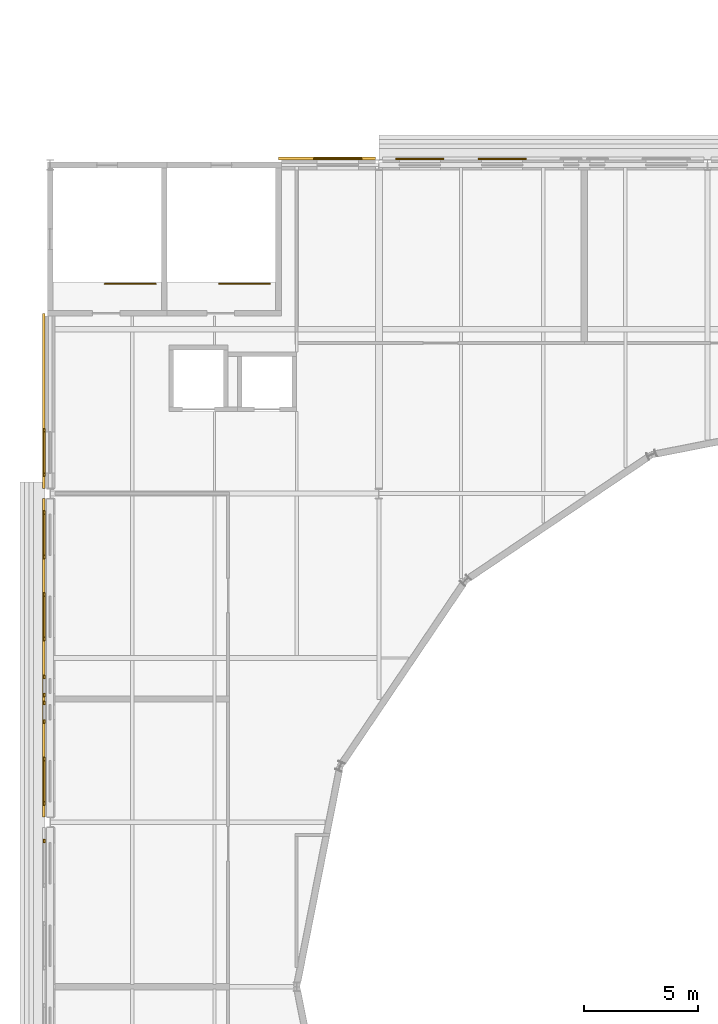
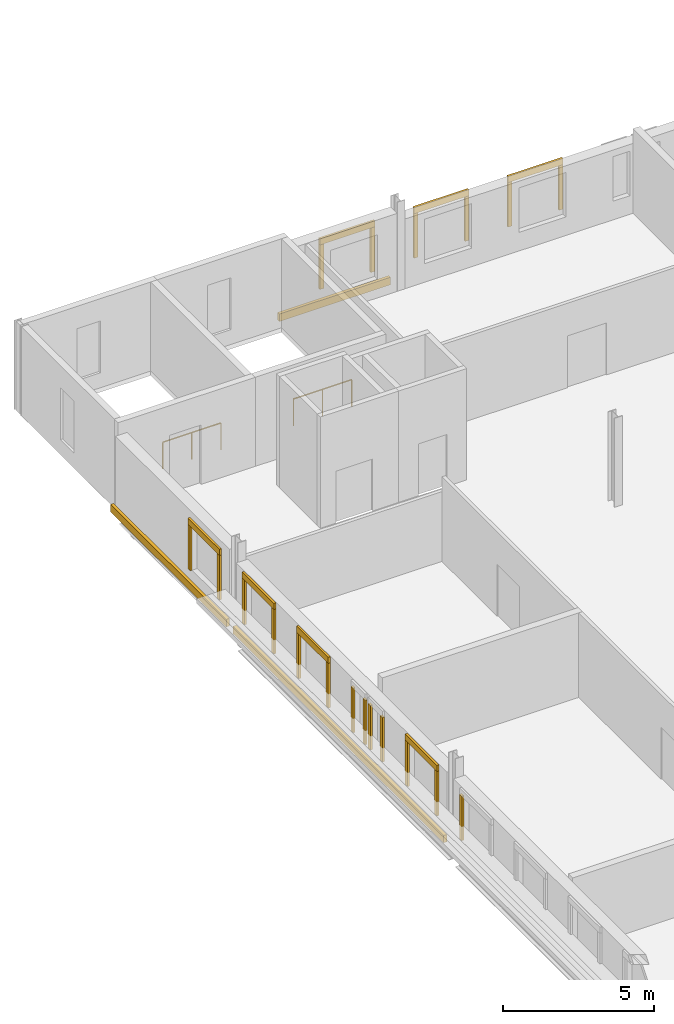
# One storey, part 124 of 142: 29 coverings, 2 railings.
"""IFC4 building model written with IfcOpenShell, lengths in metres."""

from ifc_helpers import new_model, si_unit, direction, frame, origin, origin_2d, place, context, subcontext, project, spatial, rectangle, circle, extrude, material, layer, layer_set, type_object, element, save


model = new_model("IFC4")

# Units and contexts
model_context = context("Model", 3, precision=1e-05, world=origin(), true_north=direction((0.0, 1.0)))
body_context = subcontext(model_context, "Body", "Model", "MODEL_VIEW")
ifc_project = project(units=[si_unit("LENGTHUNIT", "METRE"), si_unit("AREAUNIT", "SQUARE_METRE"), si_unit("VOLUMEUNIT", "CUBIC_METRE"), si_unit("PLANEANGLEUNIT", "RADIAN"), si_unit("MASSUNIT", "GRAM", prefix="KILO")], contexts=[model_context])

# Site, building, storey
site_placement = place(None, origin())
site = spatial("IfcSite", under=ifc_project, at=site_placement, CompositionType="ELEMENT")
building_placement = place(site_placement, origin())
building = spatial("IfcBuilding", under=site, at=building_placement, Name="Kupolbacken Congress Centre", CompositionType="ELEMENT")
storey_placement = place(building_placement, frame((0.0, 0.0, 14.39990234375)))
storey = spatial("IfcBuildingStorey", under=building, at=storey_placement, Name="L04", CompositionType="ELEMENT", Elevation=14.39990234375)

# Coverings
ifc_material_1 = material(Name="Limestone cladding", Category="masonry")
ifc_layer = layer(ifc_material_1, 0.1201171875)
ifc_layer_set = layer_set([ifc_layer], Name="Limestone cladding")
covering_type = type_object("IfcCoveringType", Name="CV1 limestone cladding band 120", PredefinedType="CLADDING", material=ifc_layer_set)
for number, where, z_axis, x_axis, name in (
    (1, (24.375, 122.659912109375, 0.75), (0.0, 0.0, 1.0), (-1.0, 0.0, 0.0), "E/P/N/L04/445/W1/jl"),
    (2, (22.425048828125, 122.659912109375, 0.75), (0.0, 0.0, 1.0), (-1.0, 0.0, 0.0), "E/P/N/L04/445/W1/jr"),
):
    element("IfcCovering", number, at=place(storey_placement, frame(where, z_axis=z_axis, x_axis=x_axis)), inside=storey, type_object=covering_type, Name=name, PredefinedType="CLADDING", context=body_context, shape_type="SweptSolid", body=[
        extrude(rectangle(XDim=0.14990234375, YDim=0.080078125, at=origin_2d()), origin(), (0.0, 0.0, 1.0), 1.800048828125),
    ])
covering_1_placement = place(storey_placement, frame((23.39990234375, 122.659912109375, 2.550048828125), z_axis=(0.0, 0.0, 1.0), x_axis=(-1.0, 0.0, 0.0)))
element("IfcCovering", 3, at=covering_1_placement, inside=storey, type_object=covering_type, Name="E/P/N/L04/445/W1/hd", PredefinedType="CLADDING", context=body_context, shape_type="SweptSolid", body=[
    extrude(rectangle(XDim=2.10009765625, YDim=0.080078125, at=origin_2d()), origin(), (0.0, 0.0, 1.0), 0.25),
])
for number, where, z_axis, x_axis, name in (
    (4, (27.97509765625, 122.659912109375, 0.75), (0.0, 0.0, 1.0), (-1.0, 0.0, 0.0), "E/P/N/L04/445/W2/jl"),
    (5, (26.02490234375, 122.659912109375, 0.75), (0.0, 0.0, 1.0), (-1.0, 0.0, 0.0), "E/P/N/L04/445/W2/jr"),
):
    element("IfcCovering", number, at=place(storey_placement, frame(where, z_axis=z_axis, x_axis=x_axis)), inside=storey, type_object=covering_type, Name=name, PredefinedType="CLADDING", context=body_context, shape_type="SweptSolid", body=[
        extrude(rectangle(XDim=0.14990234375, YDim=0.080078125, at=origin_2d()), origin(), (0.0, 0.0, 1.0), 1.800048828125),
    ])
covering_2_placement = place(storey_placement, frame((27.0, 122.659912109375, 2.550048828125), z_axis=(0.0, 0.0, 1.0), x_axis=(-1.0, 0.0, 0.0)))
element("IfcCovering", 6, at=covering_2_placement, inside=storey, type_object=covering_type, Name="E/P/N/L04/445/W2/hd", PredefinedType="CLADDING", context=body_context, shape_type="SweptSolid", body=[
    extrude(rectangle(XDim=2.10009765625, YDim=0.080078125, at=origin_2d()), origin(), (0.0, 0.0, 1.0), 0.25),
])
covering_3_placement = place(storey_placement, frame((19.324951171875, 122.679931640625, 0.0), z_axis=(0.0, 0.0, 1.0), x_axis=(-1.0, 0.0, 0.0)))
element("IfcCovering", 7, at=covering_3_placement, inside=storey, type_object=covering_type, Name="E/P/N/L04/446/band", PredefinedType="CLADDING", context=body_context, shape_type="SweptSolid", body=[
    extrude(rectangle(XDim=4.25, YDim=0.1201171875, at=origin_2d()), origin(), (0.0, 0.0, 1.0), 0.300048828125),
])
for number, where, z_axis, x_axis, name in (
    (8, (20.77490234375, 122.659912109375, 0.75), (0.0, 0.0, 1.0), (-1.0, 0.0, 0.0), "E/P/N/L04/446/W1/jl"),
    (9, (18.824951171875, 122.659912109375, 0.75), (0.0, 0.0, 1.0), (-1.0, 0.0, 0.0), "E/P/N/L04/446/W1/jr"),
):
    element("IfcCovering", number, at=place(storey_placement, frame(where, z_axis=z_axis, x_axis=x_axis)), inside=storey, type_object=covering_type, Name=name, PredefinedType="CLADDING", context=body_context, shape_type="SweptSolid", body=[
        extrude(rectangle(XDim=0.14990234375, YDim=0.080078125, at=origin_2d()), origin(), (0.0, 0.0, 1.0), 1.800048828125),
    ])
covering_4_placement = place(storey_placement, frame((19.800048828125, 122.659912109375, 2.550048828125), z_axis=(0.0, 0.0, 1.0), x_axis=(-1.0, 0.0, 0.0)))
element("IfcCovering", 10, at=covering_4_placement, inside=storey, type_object=covering_type, Name="E/P/N/L04/446/W1/hd", PredefinedType="CLADDING", context=body_context, shape_type="SweptSolid", body=[
    extrude(rectangle(XDim=2.10009765625, YDim=0.080078125, at=origin_2d()), origin(), (0.0, 0.0, 1.0), 0.25),
])
covering_5_placement = place(storey_placement, frame((6.919921875, 112.0625, 0.0), z_axis=(0.0, 0.0, 1.0), x_axis=(0.0, -1.0, 0.0)))
element("IfcCovering", 11, at=covering_5_placement, inside=storey, type_object=covering_type, Name="E/P/W/L04/450/band", PredefinedType="CLADDING", context=body_context, shape_type="SweptSolid", body=[
    extrude(rectangle(XDim=7.675048828125, YDim=0.1201171875, at=origin_2d()), origin(), (0.0, 0.0, 1.0), 0.300048828125),
])
for number, where, z_axis, x_axis, name in (
    (12, (6.93994140625, 110.77490234375, 0.75), (0.0, 0.0, 1.0), (0.0, -1.0, 0.0), "E/P/W/L04/450/W1/jl"),
    (13, (6.93994140625, 108.824951171875, 0.75), (0.0, 0.0, 1.0), (0.0, -1.0, 0.0), "E/P/W/L04/450/W1/jr"),
):
    element("IfcCovering", number, at=place(storey_placement, frame(where, z_axis=z_axis, x_axis=x_axis)), inside=storey, type_object=covering_type, Name=name, PredefinedType="CLADDING", context=body_context, shape_type="SweptSolid", body=[
        extrude(rectangle(XDim=0.14990234375, YDim=0.080078125, at=origin_2d()), origin(), (0.0, 0.0, 1.0), 1.800048828125),
    ])
covering_6_placement = place(storey_placement, frame((6.93994140625, 109.800048828125, 2.550048828125), z_axis=(0.0, 0.0, 1.0), x_axis=(0.0, -1.0, 0.0)))
element("IfcCovering", 14, at=covering_6_placement, inside=storey, type_object=covering_type, Name="E/P/W/L04/450/W1/hd", PredefinedType="CLADDING", context=body_context, shape_type="SweptSolid", body=[
    extrude(rectangle(XDim=2.10009765625, YDim=0.080078125, at=origin_2d()), origin(), (0.0, 0.0, 1.0), 0.25),
])
covering_7_placement = place(storey_placement, frame((6.919921875, 100.800048828125, 0.0), z_axis=(0.0, 0.0, 1.0), x_axis=(0.0, -1.0, 0.0)))
element("IfcCovering", 15, at=covering_7_placement, inside=storey, type_object=covering_type, Name="E/P/W/L04/451/band", PredefinedType="CLADDING", context=body_context, shape_type="SweptSolid", body=[
    extrude(rectangle(XDim=13.949951171875, YDim=0.1201171875, at=origin_2d()), origin(), (0.0, 0.0, 1.0), 0.300048828125),
])
for number, where, z_axis, x_axis, name in (
    (16, (6.93994140625, 96.375, 0.75), (0.0, 0.0, 1.0), (0.0, -1.0, 0.0), "E/P/W/L04/451/W1/jl"),
    (17, (6.93994140625, 94.425048828125, 0.75), (0.0, 0.0, 1.0), (0.0, -1.0, 0.0), "E/P/W/L04/451/W1/jr"),
):
    element("IfcCovering", number, at=place(storey_placement, frame(where, z_axis=z_axis, x_axis=x_axis)), inside=storey, type_object=covering_type, Name=name, PredefinedType="CLADDING", context=body_context, shape_type="SweptSolid", body=[
        extrude(rectangle(XDim=0.14990234375, YDim=0.080078125, at=origin_2d()), origin(), (0.0, 0.0, 1.0), 1.800048828125),
    ])
covering_8_placement = place(storey_placement, frame((6.93994140625, 95.39990234375, 2.550048828125), z_axis=(0.0, 0.0, 1.0), x_axis=(0.0, -1.0, 0.0)))
element("IfcCovering", 18, at=covering_8_placement, inside=storey, type_object=covering_type, Name="E/P/W/L04/451/W1/hd", PredefinedType="CLADDING", context=body_context, shape_type="SweptSolid", body=[
    extrude(rectangle(XDim=2.10009765625, YDim=0.080078125, at=origin_2d()), origin(), (0.0, 0.0, 1.0), 0.25),
])
for number, where, z_axis, x_axis, name in (
    (19, (6.93994140625, 99.97509765625, 0.75), (0.0, 0.0, 1.0), (0.0, -1.0, 0.0), "E/P/W/L04/451/W2/jl"),
    (20, (6.93994140625, 99.175048828125, 0.75), (0.0, 0.0, 1.0), (0.0, -1.0, 0.0), "E/P/W/L04/451/W2/jr"),
    (21, (6.93994140625, 98.824951171875, 0.75), (0.0, 0.0, 1.0), (0.0, -1.0, 0.0), "E/P/W/L04/451/W3/jl"),
    (22, (6.93994140625, 98.02490234375, 0.75), (0.0, 0.0, 1.0), (0.0, -1.0, 0.0), "E/P/W/L04/451/W3/jr"),
    (23, (6.93994140625, 103.574951171875, 0.75), (0.0, 0.0, 1.0), (0.0, -1.0, 0.0), "E/P/W/L04/451/W4/jl"),
    (24, (6.93994140625, 101.625, 0.75), (0.0, 0.0, 1.0), (0.0, -1.0, 0.0), "E/P/W/L04/451/W4/jr"),
):
    element("IfcCovering", number, at=place(storey_placement, frame(where, z_axis=z_axis, x_axis=x_axis)), inside=storey, type_object=covering_type, Name=name, PredefinedType="CLADDING", context=body_context, shape_type="SweptSolid", body=[
        extrude(rectangle(XDim=0.14990234375, YDim=0.080078125, at=origin_2d()), origin(), (0.0, 0.0, 1.0), 1.800048828125),
    ])
covering_9_placement = place(storey_placement, frame((6.93994140625, 102.60009765625, 2.550048828125), z_axis=(0.0, 0.0, 1.0), x_axis=(0.0, -1.0, 0.0)))
element("IfcCovering", 25, at=covering_9_placement, inside=storey, type_object=covering_type, Name="E/P/W/L04/451/W4/hd", PredefinedType="CLADDING", context=body_context, shape_type="SweptSolid", body=[
    extrude(rectangle(XDim=2.10009765625, YDim=0.080078125, at=origin_2d()), origin(), (0.0, 0.0, 1.0), 0.25),
])
for number, where, z_axis, x_axis, name in (
    (26, (6.93994140625, 107.175048828125, 0.75), (0.0, 0.0, 1.0), (0.0, -1.0, 0.0), "E/P/W/L04/451/W5/jl"),
    (27, (6.93994140625, 105.22509765625, 0.75), (0.0, 0.0, 1.0), (0.0, -1.0, 0.0), "E/P/W/L04/451/W5/jr"),
):
    element("IfcCovering", number, at=place(storey_placement, frame(where, z_axis=z_axis, x_axis=x_axis)), inside=storey, type_object=covering_type, Name=name, PredefinedType="CLADDING", context=body_context, shape_type="SweptSolid", body=[
        extrude(rectangle(XDim=0.14990234375, YDim=0.080078125, at=origin_2d()), origin(), (0.0, 0.0, 1.0), 1.800048828125),
    ])
covering_10_placement = place(storey_placement, frame((6.93994140625, 106.199951171875, 2.550048828125), z_axis=(0.0, 0.0, 1.0), x_axis=(0.0, -1.0, 0.0)))
element("IfcCovering", 28, at=covering_10_placement, inside=storey, type_object=covering_type, Name="E/P/W/L04/451/W5/hd", PredefinedType="CLADDING", context=body_context, shape_type="SweptSolid", body=[
    extrude(rectangle(XDim=2.10009765625, YDim=0.080078125, at=origin_2d()), origin(), (0.0, 0.0, 1.0), 0.25),
])
covering_11_placement = place(storey_placement, frame((6.93994140625, 92.77490234375, 0.75), z_axis=(0.0, 0.0, 1.0), x_axis=(0.0, -1.0, 0.0)))
element("IfcCovering", 29, at=covering_11_placement, inside=storey, type_object=covering_type, Name="E/P/W/L04/452/W4/jl", PredefinedType="CLADDING", context=body_context, shape_type="SweptSolid", body=[
    extrude(rectangle(XDim=0.14990234375, YDim=0.080078125, at=origin_2d()), origin(), (0.0, 0.0, 1.0), 1.800048828125),
])

# Railings
ifc_material_2 = material(Name="Steel S235", Category="steel")
railing_type = type_object("IfcRailingType", Name="RL1 guard 1100 steel balustrade", PredefinedType="GUARDRAIL", material=ifc_material_2)
for number, where, name in (
    (30, (11.824951171875, 117.18505859375, 0.0), "C/guard/PS1NW/L04"),
    (31, (16.824951171875, 117.18505859375, 0.0), "C/guard/PS2NW/L04"),
):
    element("IfcRailing", number, at=place(storey_placement, frame(where)), inside=storey, type_object=railing_type, Name=name, PredefinedType="GUARDRAIL", context=body_context, shape_type="SweptSolid", body=[
        extrude(circle(Radius=0.02392578125, at=origin_2d()), frame((0.0, 0.0, 1.076171875), z_axis=(-1.0, 0.0, 0.0), x_axis=(0.0, -1.0, 0.0)), (0.0, 0.0, 1.0), 2.224853515625),
        extrude(circle(Radius=0.02099609375, at=origin_2d()), origin(), (0.0, 0.0, 1.0), 1.052001953125),
        extrude(circle(Radius=0.02099609375, at=origin_2d()), frame((-1.1123046875, 0.0, 0.0)), (0.0, 0.0, 1.0), 1.052001953125),
        extrude(circle(Radius=0.02099609375, at=origin_2d()), frame((-2.224853515625, 0.0, 0.0)), (0.0, 0.0, 1.0), 1.052001953125),
    ])

save(model, "model.ifc")
